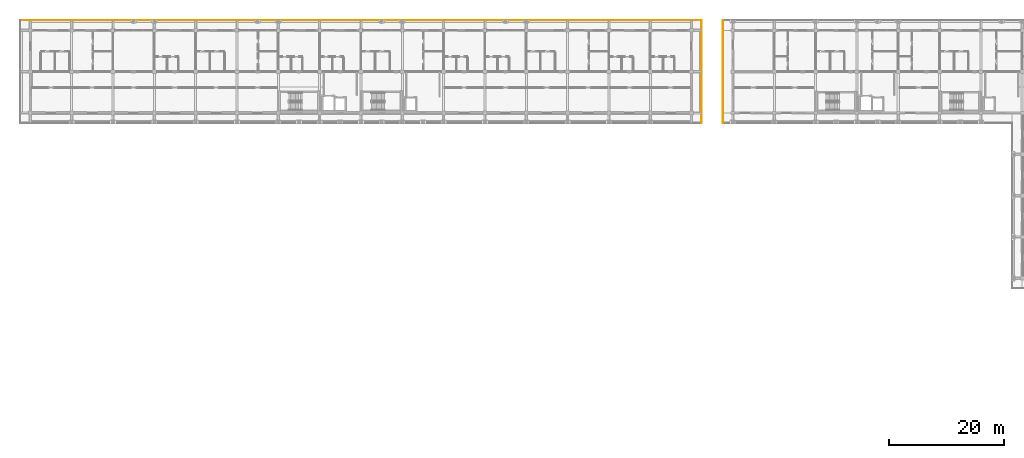
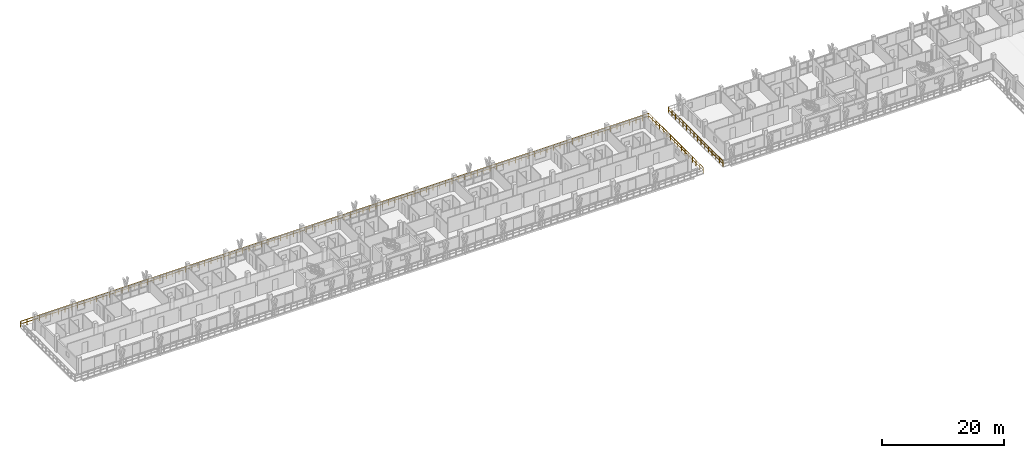
# One storey, part 71 of 78: 3 railings.
"""IFC4 building model written with IfcOpenShell, lengths in metres."""

from ifc_helpers import new_model, si_unit, direction, frame, origin, origin_2d, place, context, subcontext, project, spatial, rectangle, extrude, material, type_object, element, save


model = new_model("IFC4")

# Units and contexts
model_context = context("Model", 3, precision=1e-05, world=origin(), true_north=direction((0.0, 1.0)))
body_context = subcontext(model_context, "Body", "Model", "MODEL_VIEW")
ifc_project = project(units=[si_unit("LENGTHUNIT", "METRE"), si_unit("AREAUNIT", "SQUARE_METRE"), si_unit("VOLUMEUNIT", "CUBIC_METRE"), si_unit("PLANEANGLEUNIT", "RADIAN"), si_unit("MASSUNIT", "GRAM", prefix="KILO")], contexts=[model_context])

# Site, building, storey
site_placement = place(None, origin())
site = spatial("IfcSite", under=ifc_project, at=site_placement, CompositionType="ELEMENT")
building_placement = place(site_placement, origin())
building = spatial("IfcBuilding", under=site, at=building_placement, Name="Suanplinth Sawtooth Commons", CompositionType="ELEMENT")
storey_placement = place(building_placement, frame((0.0, 0.0, 15.39990234375)))
storey = spatial("IfcBuildingStorey", under=building, at=storey_placement, Name="L04", CompositionType="ELEMENT", Elevation=15.39990234375)

# Railings
ifc_material = material(Name="Powder-coated galvanized steel", Category="steel")
railing_type = type_object("IfcRailingType", Name="GR-01", PredefinedType="BALUSTRADE", material=ifc_material)
railing_1_placement = place(storey_placement, frame((-1.739990234375, 124.139892578125, 0.0)))
element("IfcRailing", 1, at=railing_1_placement, inside=storey, type_object=railing_type, Name="L04 Block A Perimeter Balustrade 2", PredefinedType="BALUSTRADE", context=body_context, shape_type="SweptSolid", body=[
    extrude(rectangle(XDim=0.048095703125, YDim=0.048095703125, at=origin_2d()), frame((0.0, 0.0, 1.09619140625), z_axis=(1.0, 0.0, 0.0), x_axis=(0.0, 1.0, 0.0)), (0.0, 0.0, 1.0), 118.679931640625),
    extrude(rectangle(XDim=0.03369140625, YDim=0.03369140625, at=origin_2d()), frame((0.0, 0.0, 0.56005859375), z_axis=(1.0, 0.0, 0.0), x_axis=(0.0, 1.0, 0.0)), (0.0, 0.0, 1.0), 118.679931640625),
    extrude(rectangle(XDim=0.0419921875, YDim=0.0419921875, at=origin_2d()), origin(), (0.0, 0.0, 1.0), 1.072021484375),
    extrude(rectangle(XDim=0.0419921875, YDim=0.0419921875, at=origin_2d()), frame((1.19873046875, 0.0, 0.0)), (0.0, 0.0, 1.0), 1.072021484375),
    extrude(rectangle(XDim=0.0419921875, YDim=0.0419921875, at=origin_2d()), frame((2.3974609375, 0.0, 0.0)), (0.0, 0.0, 1.0), 1.072021484375),
    extrude(rectangle(XDim=0.0419921875, YDim=0.0419921875, at=origin_2d()), frame((3.596435546875, 0.0, 0.0)), (0.0, 0.0, 1.0), 1.072021484375),
    extrude(rectangle(XDim=0.0419921875, YDim=0.0419921875, at=origin_2d()), frame((4.795166015625, 0.0, 0.0)), (0.0, 0.0, 1.0), 1.072021484375),
    extrude(rectangle(XDim=0.0419921875, YDim=0.0419921875, at=origin_2d()), frame((5.993896484375, 0.0, 0.0)), (0.0, 0.0, 1.0), 1.072021484375),
    extrude(rectangle(XDim=0.0419921875, YDim=0.0419921875, at=origin_2d()), frame((7.192626953125, 0.0, 0.0)), (0.0, 0.0, 1.0), 1.072021484375),
    extrude(rectangle(XDim=0.0419921875, YDim=0.0419921875, at=origin_2d()), frame((8.3916015625, 0.0, 0.0)), (0.0, 0.0, 1.0), 1.072021484375),
    extrude(rectangle(XDim=0.0419921875, YDim=0.0419921875, at=origin_2d()), frame((9.59033203125, 0.0, 0.0)), (0.0, 0.0, 1.0), 1.072021484375),
    extrude(rectangle(XDim=0.0419921875, YDim=0.0419921875, at=origin_2d()), frame((10.7890625, 0.0, 0.0)), (0.0, 0.0, 1.0), 1.072021484375),
    extrude(rectangle(XDim=0.0419921875, YDim=0.0419921875, at=origin_2d()), frame((11.98779296875, 0.0, 0.0)), (0.0, 0.0, 1.0), 1.072021484375),
    extrude(rectangle(XDim=0.0419921875, YDim=0.0419921875, at=origin_2d()), frame((13.186767578125, 0.0, 0.0)), (0.0, 0.0, 1.0), 1.072021484375),
    extrude(rectangle(XDim=0.0419921875, YDim=0.0419921875, at=origin_2d()), frame((14.385498046875, 0.0, 0.0)), (0.0, 0.0, 1.0), 1.072021484375),
    extrude(rectangle(XDim=0.0419921875, YDim=0.0419921875, at=origin_2d()), frame((15.584228515625, 0.0, 0.0)), (0.0, 0.0, 1.0), 1.072021484375),
    extrude(rectangle(XDim=0.0419921875, YDim=0.0419921875, at=origin_2d()), frame((16.782958984375, 0.0, 0.0)), (0.0, 0.0, 1.0), 1.072021484375),
    extrude(rectangle(XDim=0.0419921875, YDim=0.0419921875, at=origin_2d()), frame((17.981689453125, 0.0, 0.0)), (0.0, 0.0, 1.0), 1.072021484375),
    extrude(rectangle(XDim=0.0419921875, YDim=0.0419921875, at=origin_2d()), frame((19.1806640625, 0.0, 0.0)), (0.0, 0.0, 1.0), 1.072021484375),
    extrude(rectangle(XDim=0.0419921875, YDim=0.0419921875, at=origin_2d()), frame((20.37939453125, 0.0, 0.0)), (0.0, 0.0, 1.0), 1.072021484375),
    extrude(rectangle(XDim=0.0419921875, YDim=0.0419921875, at=origin_2d()), frame((21.578125, 0.0, 0.0)), (0.0, 0.0, 1.0), 1.072021484375),
    extrude(rectangle(XDim=0.0419921875, YDim=0.0419921875, at=origin_2d()), frame((22.77685546875, 0.0, 0.0)), (0.0, 0.0, 1.0), 1.072021484375),
    extrude(rectangle(XDim=0.0419921875, YDim=0.0419921875, at=origin_2d()), frame((23.975830078125, 0.0, 0.0)), (0.0, 0.0, 1.0), 1.072021484375),
    extrude(rectangle(XDim=0.0419921875, YDim=0.0419921875, at=origin_2d()), frame((25.174560546875, 0.0, 0.0)), (0.0, 0.0, 1.0), 1.072021484375),
    extrude(rectangle(XDim=0.0419921875, YDim=0.0419921875, at=origin_2d()), frame((26.373291015625, 0.0, 0.0)), (0.0, 0.0, 1.0), 1.072021484375),
    extrude(rectangle(XDim=0.0419921875, YDim=0.0419921875, at=origin_2d()), frame((27.572021484375, 0.0, 0.0)), (0.0, 0.0, 1.0), 1.072021484375),
    extrude(rectangle(XDim=0.0419921875, YDim=0.0419921875, at=origin_2d()), frame((28.77099609375, 0.0, 0.0)), (0.0, 0.0, 1.0), 1.072021484375),
    extrude(rectangle(XDim=0.0419921875, YDim=0.0419921875, at=origin_2d()), frame((29.9697265625, 0.0, 0.0)), (0.0, 0.0, 1.0), 1.072021484375),
    extrude(rectangle(XDim=0.0419921875, YDim=0.0419921875, at=origin_2d()), frame((31.16845703125, 0.0, 0.0)), (0.0, 0.0, 1.0), 1.072021484375),
    extrude(rectangle(XDim=0.0419921875, YDim=0.0419921875, at=origin_2d()), frame((32.3671875, 0.0, 0.0)), (0.0, 0.0, 1.0), 1.072021484375),
    extrude(rectangle(XDim=0.0419921875, YDim=0.0419921875, at=origin_2d()), frame((33.566162109375, 0.0, 0.0)), (0.0, 0.0, 1.0), 1.072021484375),
    extrude(rectangle(XDim=0.0419921875, YDim=0.0419921875, at=origin_2d()), frame((34.764892578125, 0.0, 0.0)), (0.0, 0.0, 1.0), 1.072021484375),
    extrude(rectangle(XDim=0.0419921875, YDim=0.0419921875, at=origin_2d()), frame((35.963623046875, 0.0, 0.0)), (0.0, 0.0, 1.0), 1.072021484375),
    extrude(rectangle(XDim=0.0419921875, YDim=0.0419921875, at=origin_2d()), frame((37.162353515625, 0.0, 0.0)), (0.0, 0.0, 1.0), 1.072021484375),
    extrude(rectangle(XDim=0.0419921875, YDim=0.0419921875, at=origin_2d()), frame((38.361083984375, 0.0, 0.0)), (0.0, 0.0, 1.0), 1.072021484375),
    extrude(rectangle(XDim=0.0419921875, YDim=0.0419921875, at=origin_2d()), frame((39.56005859375, 0.0, 0.0)), (0.0, 0.0, 1.0), 1.072021484375),
    extrude(rectangle(XDim=0.0419921875, YDim=0.0419921875, at=origin_2d()), frame((40.7587890625, 0.0, 0.0)), (0.0, 0.0, 1.0), 1.072021484375),
    extrude(rectangle(XDim=0.0419921875, YDim=0.0419921875, at=origin_2d()), frame((41.95751953125, 0.0, 0.0)), (0.0, 0.0, 1.0), 1.072021484375),
    extrude(rectangle(XDim=0.0419921875, YDim=0.0419921875, at=origin_2d()), frame((43.15625, 0.0, 0.0)), (0.0, 0.0, 1.0), 1.072021484375),
    extrude(rectangle(XDim=0.0419921875, YDim=0.0419921875, at=origin_2d()), frame((44.355224609375, 0.0, 0.0)), (0.0, 0.0, 1.0), 1.072021484375),
    extrude(rectangle(XDim=0.0419921875, YDim=0.0419921875, at=origin_2d()), frame((45.553955078125, 0.0, 0.0)), (0.0, 0.0, 1.0), 1.072021484375),
    extrude(rectangle(XDim=0.0419921875, YDim=0.0419921875, at=origin_2d()), frame((46.752685546875, 0.0, 0.0)), (0.0, 0.0, 1.0), 1.072021484375),
    extrude(rectangle(XDim=0.0419921875, YDim=0.0419921875, at=origin_2d()), frame((47.951416015625, 0.0, 0.0)), (0.0, 0.0, 1.0), 1.072021484375),
    extrude(rectangle(XDim=0.0419921875, YDim=0.0419921875, at=origin_2d()), frame((49.150390625, 0.0, 0.0)), (0.0, 0.0, 1.0), 1.072021484375),
    extrude(rectangle(XDim=0.0419921875, YDim=0.0419921875, at=origin_2d()), frame((50.34912109375, 0.0, 0.0)), (0.0, 0.0, 1.0), 1.072021484375),
    extrude(rectangle(XDim=0.0419921875, YDim=0.0419921875, at=origin_2d()), frame((51.5478515625, 0.0, 0.0)), (0.0, 0.0, 1.0), 1.072021484375),
    extrude(rectangle(XDim=0.0419921875, YDim=0.0419921875, at=origin_2d()), frame((52.74658203125, 0.0, 0.0)), (0.0, 0.0, 1.0), 1.072021484375),
    extrude(rectangle(XDim=0.0419921875, YDim=0.0419921875, at=origin_2d()), frame((53.9453125, 0.0, 0.0)), (0.0, 0.0, 1.0), 1.072021484375),
    extrude(rectangle(XDim=0.0419921875, YDim=0.0419921875, at=origin_2d()), frame((55.144287109375, 0.0, 0.0)), (0.0, 0.0, 1.0), 1.072021484375),
    extrude(rectangle(XDim=0.0419921875, YDim=0.0419921875, at=origin_2d()), frame((56.343017578125, 0.0, 0.0)), (0.0, 0.0, 1.0), 1.072021484375),
    extrude(rectangle(XDim=0.0419921875, YDim=0.0419921875, at=origin_2d()), frame((57.541748046875, 0.0, 0.0)), (0.0, 0.0, 1.0), 1.072021484375),
    extrude(rectangle(XDim=0.0419921875, YDim=0.0419921875, at=origin_2d()), frame((58.740478515625, 0.0, 0.0)), (0.0, 0.0, 1.0), 1.072021484375),
    extrude(rectangle(XDim=0.0419921875, YDim=0.0419921875, at=origin_2d()), frame((59.939453125, 0.0, 0.0)), (0.0, 0.0, 1.0), 1.072021484375),
    extrude(rectangle(XDim=0.0419921875, YDim=0.0419921875, at=origin_2d()), frame((61.13818359375, 0.0, 0.0)), (0.0, 0.0, 1.0), 1.072021484375),
    extrude(rectangle(XDim=0.0419921875, YDim=0.0419921875, at=origin_2d()), frame((62.3369140625, 0.0, 0.0)), (0.0, 0.0, 1.0), 1.072021484375),
    extrude(rectangle(XDim=0.0419921875, YDim=0.0419921875, at=origin_2d()), frame((63.53564453125, 0.0, 0.0)), (0.0, 0.0, 1.0), 1.072021484375),
    extrude(rectangle(XDim=0.0419921875, YDim=0.0419921875, at=origin_2d()), frame((64.734619140625, 0.0, 0.0)), (0.0, 0.0, 1.0), 1.072021484375),
    extrude(rectangle(XDim=0.0419921875, YDim=0.0419921875, at=origin_2d()), frame((65.933349609375, 0.0, 0.0)), (0.0, 0.0, 1.0), 1.072021484375),
    extrude(rectangle(XDim=0.0419921875, YDim=0.0419921875, at=origin_2d()), frame((67.132080078125, 0.0, 0.0)), (0.0, 0.0, 1.0), 1.072021484375),
    extrude(rectangle(XDim=0.0419921875, YDim=0.0419921875, at=origin_2d()), frame((68.330810546875, 0.0, 0.0)), (0.0, 0.0, 1.0), 1.072021484375),
    extrude(rectangle(XDim=0.0419921875, YDim=0.0419921875, at=origin_2d()), frame((69.529541015625, 0.0, 0.0)), (0.0, 0.0, 1.0), 1.072021484375),
    extrude(rectangle(XDim=0.0419921875, YDim=0.0419921875, at=origin_2d()), frame((70.728515625, 0.0, 0.0)), (0.0, 0.0, 1.0), 1.072021484375),
    extrude(rectangle(XDim=0.0419921875, YDim=0.0419921875, at=origin_2d()), frame((71.92724609375, 0.0, 0.0)), (0.0, 0.0, 1.0), 1.072021484375),
    extrude(rectangle(XDim=0.0419921875, YDim=0.0419921875, at=origin_2d()), frame((73.1259765625, 0.0, 0.0)), (0.0, 0.0, 1.0), 1.072021484375),
    extrude(rectangle(XDim=0.0419921875, YDim=0.0419921875, at=origin_2d()), frame((74.32470703125, 0.0, 0.0)), (0.0, 0.0, 1.0), 1.072021484375),
    extrude(rectangle(XDim=0.0419921875, YDim=0.0419921875, at=origin_2d()), frame((75.523681640625, 0.0, 0.0)), (0.0, 0.0, 1.0), 1.072021484375),
    extrude(rectangle(XDim=0.0419921875, YDim=0.0419921875, at=origin_2d()), frame((76.722412109375, 0.0, 0.0)), (0.0, 0.0, 1.0), 1.072021484375),
    extrude(rectangle(XDim=0.0419921875, YDim=0.0419921875, at=origin_2d()), frame((77.921142578125, 0.0, 0.0)), (0.0, 0.0, 1.0), 1.072021484375),
    extrude(rectangle(XDim=0.0419921875, YDim=0.0419921875, at=origin_2d()), frame((79.119873046875, 0.0, 0.0)), (0.0, 0.0, 1.0), 1.072021484375),
    extrude(rectangle(XDim=0.0419921875, YDim=0.0419921875, at=origin_2d()), frame((80.31884765625, 0.0, 0.0)), (0.0, 0.0, 1.0), 1.072021484375),
    extrude(rectangle(XDim=0.0419921875, YDim=0.0419921875, at=origin_2d()), frame((81.517578125, 0.0, 0.0)), (0.0, 0.0, 1.0), 1.072021484375),
    extrude(rectangle(XDim=0.0419921875, YDim=0.0419921875, at=origin_2d()), frame((82.71630859375, 0.0, 0.0)), (0.0, 0.0, 1.0), 1.072021484375),
    extrude(rectangle(XDim=0.0419921875, YDim=0.0419921875, at=origin_2d()), frame((83.9150390625, 0.0, 0.0)), (0.0, 0.0, 1.0), 1.072021484375),
    extrude(rectangle(XDim=0.0419921875, YDim=0.0419921875, at=origin_2d()), frame((85.11376953125, 0.0, 0.0)), (0.0, 0.0, 1.0), 1.072021484375),
    extrude(rectangle(XDim=0.0419921875, YDim=0.0419921875, at=origin_2d()), frame((86.312744140625, 0.0, 0.0)), (0.0, 0.0, 1.0), 1.072021484375),
    extrude(rectangle(XDim=0.0419921875, YDim=0.0419921875, at=origin_2d()), frame((87.511474609375, 0.0, 0.0)), (0.0, 0.0, 1.0), 1.072021484375),
    extrude(rectangle(XDim=0.0419921875, YDim=0.0419921875, at=origin_2d()), frame((88.710205078125, 0.0, 0.0)), (0.0, 0.0, 1.0), 1.072021484375),
    extrude(rectangle(XDim=0.0419921875, YDim=0.0419921875, at=origin_2d()), frame((89.908935546875, 0.0, 0.0)), (0.0, 0.0, 1.0), 1.072021484375),
    extrude(rectangle(XDim=0.0419921875, YDim=0.0419921875, at=origin_2d()), frame((91.10791015625, 0.0, 0.0)), (0.0, 0.0, 1.0), 1.072021484375),
    extrude(rectangle(XDim=0.0419921875, YDim=0.0419921875, at=origin_2d()), frame((92.306640625, 0.0, 0.0)), (0.0, 0.0, 1.0), 1.072021484375),
    extrude(rectangle(XDim=0.0419921875, YDim=0.0419921875, at=origin_2d()), frame((93.50537109375, 0.0, 0.0)), (0.0, 0.0, 1.0), 1.072021484375),
    extrude(rectangle(XDim=0.0419921875, YDim=0.0419921875, at=origin_2d()), frame((94.7041015625, 0.0, 0.0)), (0.0, 0.0, 1.0), 1.072021484375),
    extrude(rectangle(XDim=0.0419921875, YDim=0.0419921875, at=origin_2d()), frame((95.903076171875, 0.0, 0.0)), (0.0, 0.0, 1.0), 1.072021484375),
    extrude(rectangle(XDim=0.0419921875, YDim=0.0419921875, at=origin_2d()), frame((97.101806640625, 0.0, 0.0)), (0.0, 0.0, 1.0), 1.072021484375),
    extrude(rectangle(XDim=0.0419921875, YDim=0.0419921875, at=origin_2d()), frame((98.300537109375, 0.0, 0.0)), (0.0, 0.0, 1.0), 1.072021484375),
    extrude(rectangle(XDim=0.0419921875, YDim=0.0419921875, at=origin_2d()), frame((99.499267578125, 0.0, 0.0)), (0.0, 0.0, 1.0), 1.072021484375),
    extrude(rectangle(XDim=0.0419921875, YDim=0.0419921875, at=origin_2d()), frame((100.6982421875, 0.0, 0.0)), (0.0, 0.0, 1.0), 1.072021484375),
    extrude(rectangle(XDim=0.0419921875, YDim=0.0419921875, at=origin_2d()), frame((101.89697265625, 0.0, 0.0)), (0.0, 0.0, 1.0), 1.072021484375),
    extrude(rectangle(XDim=0.0419921875, YDim=0.0419921875, at=origin_2d()), frame((103.095703125, 0.0, 0.0)), (0.0, 0.0, 1.0), 1.072021484375),
    extrude(rectangle(XDim=0.0419921875, YDim=0.0419921875, at=origin_2d()), frame((104.29443359375, 0.0, 0.0)), (0.0, 0.0, 1.0), 1.072021484375),
    extrude(rectangle(XDim=0.0419921875, YDim=0.0419921875, at=origin_2d()), frame((105.4931640625, 0.0, 0.0)), (0.0, 0.0, 1.0), 1.072021484375),
    extrude(rectangle(XDim=0.0419921875, YDim=0.0419921875, at=origin_2d()), frame((106.692138671875, 0.0, 0.0)), (0.0, 0.0, 1.0), 1.072021484375),
    extrude(rectangle(XDim=0.0419921875, YDim=0.0419921875, at=origin_2d()), frame((107.890869140625, 0.0, 0.0)), (0.0, 0.0, 1.0), 1.072021484375),
    extrude(rectangle(XDim=0.0419921875, YDim=0.0419921875, at=origin_2d()), frame((109.089599609375, 0.0, 0.0)), (0.0, 0.0, 1.0), 1.072021484375),
    extrude(rectangle(XDim=0.0419921875, YDim=0.0419921875, at=origin_2d()), frame((110.288330078125, 0.0, 0.0)), (0.0, 0.0, 1.0), 1.072021484375),
    extrude(rectangle(XDim=0.0419921875, YDim=0.0419921875, at=origin_2d()), frame((111.4873046875, 0.0, 0.0)), (0.0, 0.0, 1.0), 1.072021484375),
    extrude(rectangle(XDim=0.0419921875, YDim=0.0419921875, at=origin_2d()), frame((112.68603515625, 0.0, 0.0)), (0.0, 0.0, 1.0), 1.072021484375),
    extrude(rectangle(XDim=0.0419921875, YDim=0.0419921875, at=origin_2d()), frame((113.884765625, 0.0, 0.0)), (0.0, 0.0, 1.0), 1.072021484375),
    extrude(rectangle(XDim=0.0419921875, YDim=0.0419921875, at=origin_2d()), frame((115.08349609375, 0.0, 0.0)), (0.0, 0.0, 1.0), 1.072021484375),
    extrude(rectangle(XDim=0.0419921875, YDim=0.0419921875, at=origin_2d()), frame((116.282470703125, 0.0, 0.0)), (0.0, 0.0, 1.0), 1.072021484375),
    extrude(rectangle(XDim=0.0419921875, YDim=0.0419921875, at=origin_2d()), frame((117.481201171875, 0.0, 0.0)), (0.0, 0.0, 1.0), 1.072021484375),
    extrude(rectangle(XDim=0.0419921875, YDim=0.0419921875, at=origin_2d()), frame((118.679931640625, 0.0, 0.0)), (0.0, 0.0, 1.0), 1.072021484375),
])
railing_2_placement = place(storey_placement, frame((116.93994140625, 124.139892578125, 0.0)))
element("IfcRailing", 2, at=railing_2_placement, inside=storey, type_object=railing_type, Name="L04 Block A Perimeter Balustrade 3", PredefinedType="BALUSTRADE", context=body_context, shape_type="SweptSolid", body=[
    extrude(rectangle(XDim=0.048095703125, YDim=0.048095703125, at=origin_2d()), frame((0.0, 0.0, 1.09619140625), z_axis=(0.0, -1.0, 0.0), x_axis=(1.0, 0.0, 0.0)), (0.0, 0.0, 1.0), 17.8798828125),
    extrude(rectangle(XDim=0.03369140625, YDim=0.03369140625, at=origin_2d()), frame((0.0, 0.0, 0.56005859375), z_axis=(0.0, -1.0, 0.0), x_axis=(1.0, 0.0, 0.0)), (0.0, 0.0, 1.0), 17.8798828125),
    extrude(rectangle(XDim=0.0419921875, YDim=0.0419921875, at=origin_2d()), origin(), (0.0, 0.0, 1.0), 1.072021484375),
    extrude(rectangle(XDim=0.0419921875, YDim=0.0419921875, at=origin_2d()), frame((0.0, -1.19189453125, 0.0)), (0.0, 0.0, 1.0), 1.072021484375),
    extrude(rectangle(XDim=0.0419921875, YDim=0.0419921875, at=origin_2d()), frame((0.0, -2.384033203125, 0.0)), (0.0, 0.0, 1.0), 1.072021484375),
    extrude(rectangle(XDim=0.0419921875, YDim=0.0419921875, at=origin_2d()), frame((0.0, -3.575927734375, 0.0)), (0.0, 0.0, 1.0), 1.072021484375),
    extrude(rectangle(XDim=0.0419921875, YDim=0.0419921875, at=origin_2d()), frame((0.0, -4.76806640625, 0.0)), (0.0, 0.0, 1.0), 1.072021484375),
    extrude(rectangle(XDim=0.0419921875, YDim=0.0419921875, at=origin_2d()), frame((0.0, -5.9599609375, 0.0)), (0.0, 0.0, 1.0), 1.072021484375),
    extrude(rectangle(XDim=0.0419921875, YDim=0.0419921875, at=origin_2d()), frame((0.0, -7.15185546875, 0.0)), (0.0, 0.0, 1.0), 1.072021484375),
    extrude(rectangle(XDim=0.0419921875, YDim=0.0419921875, at=origin_2d()), frame((0.0, -8.343994140625, 0.0)), (0.0, 0.0, 1.0), 1.072021484375),
    extrude(rectangle(XDim=0.0419921875, YDim=0.0419921875, at=origin_2d()), frame((0.0, -9.535888671875, 0.0)), (0.0, 0.0, 1.0), 1.072021484375),
    extrude(rectangle(XDim=0.0419921875, YDim=0.0419921875, at=origin_2d()), frame((0.0, -10.72802734375, 0.0)), (0.0, 0.0, 1.0), 1.072021484375),
    extrude(rectangle(XDim=0.0419921875, YDim=0.0419921875, at=origin_2d()), frame((0.0, -11.919921875, 0.0)), (0.0, 0.0, 1.0), 1.072021484375),
    extrude(rectangle(XDim=0.0419921875, YDim=0.0419921875, at=origin_2d()), frame((0.0, -13.11181640625, 0.0)), (0.0, 0.0, 1.0), 1.072021484375),
    extrude(rectangle(XDim=0.0419921875, YDim=0.0419921875, at=origin_2d()), frame((0.0, -14.303955078125, 0.0)), (0.0, 0.0, 1.0), 1.072021484375),
    extrude(rectangle(XDim=0.0419921875, YDim=0.0419921875, at=origin_2d()), frame((0.0, -15.495849609375, 0.0)), (0.0, 0.0, 1.0), 1.072021484375),
    extrude(rectangle(XDim=0.0419921875, YDim=0.0419921875, at=origin_2d()), frame((0.0, -16.68798828125, 0.0)), (0.0, 0.0, 1.0), 1.072021484375),
    extrude(rectangle(XDim=0.0419921875, YDim=0.0419921875, at=origin_2d()), frame((0.0, -17.8798828125, 0.0)), (0.0, 0.0, 1.0), 1.072021484375),
])
railing_3_placement = place(storey_placement, frame((120.659912109375, 106.260009765625, 0.0)))
element("IfcRailing", 3, at=railing_3_placement, inside=storey, type_object=railing_type, Name="L04 Block B Perimeter Balustrade 3", PredefinedType="BALUSTRADE", context=body_context, shape_type="SweptSolid", body=[
    extrude(rectangle(XDim=0.048095703125, YDim=0.048095703125, at=origin_2d()), frame((0.0, 0.0, 1.09619140625), z_axis=(0.0, 1.0, 0.0), x_axis=(-1.0, 0.0, 0.0)), (0.0, 0.0, 1.0), 17.8798828125),
    extrude(rectangle(XDim=0.03369140625, YDim=0.03369140625, at=origin_2d()), frame((0.0, 0.0, 0.56005859375), z_axis=(0.0, 1.0, 0.0), x_axis=(-1.0, 0.0, 0.0)), (0.0, 0.0, 1.0), 17.8798828125),
    extrude(rectangle(XDim=0.0419921875, YDim=0.0419921875, at=origin_2d()), origin(), (0.0, 0.0, 1.0), 1.072021484375),
    extrude(rectangle(XDim=0.0419921875, YDim=0.0419921875, at=origin_2d()), frame((0.0, 1.19189453125, 0.0)), (0.0, 0.0, 1.0), 1.072021484375),
    extrude(rectangle(XDim=0.0419921875, YDim=0.0419921875, at=origin_2d()), frame((0.0, 2.384033203125, 0.0)), (0.0, 0.0, 1.0), 1.072021484375),
    extrude(rectangle(XDim=0.0419921875, YDim=0.0419921875, at=origin_2d()), frame((0.0, 3.575927734375, 0.0)), (0.0, 0.0, 1.0), 1.072021484375),
    extrude(rectangle(XDim=0.0419921875, YDim=0.0419921875, at=origin_2d()), frame((0.0, 4.76806640625, 0.0)), (0.0, 0.0, 1.0), 1.072021484375),
    extrude(rectangle(XDim=0.0419921875, YDim=0.0419921875, at=origin_2d()), frame((0.0, 5.9599609375, 0.0)), (0.0, 0.0, 1.0), 1.072021484375),
    extrude(rectangle(XDim=0.0419921875, YDim=0.0419921875, at=origin_2d()), frame((0.0, 7.15185546875, 0.0)), (0.0, 0.0, 1.0), 1.072021484375),
    extrude(rectangle(XDim=0.0419921875, YDim=0.0419921875, at=origin_2d()), frame((0.0, 8.343994140625, 0.0)), (0.0, 0.0, 1.0), 1.072021484375),
    extrude(rectangle(XDim=0.0419921875, YDim=0.0419921875, at=origin_2d()), frame((0.0, 9.535888671875, 0.0)), (0.0, 0.0, 1.0), 1.072021484375),
    extrude(rectangle(XDim=0.0419921875, YDim=0.0419921875, at=origin_2d()), frame((0.0, 10.72802734375, 0.0)), (0.0, 0.0, 1.0), 1.072021484375),
    extrude(rectangle(XDim=0.0419921875, YDim=0.0419921875, at=origin_2d()), frame((0.0, 11.919921875, 0.0)), (0.0, 0.0, 1.0), 1.072021484375),
    extrude(rectangle(XDim=0.0419921875, YDim=0.0419921875, at=origin_2d()), frame((0.0, 13.11181640625, 0.0)), (0.0, 0.0, 1.0), 1.072021484375),
    extrude(rectangle(XDim=0.0419921875, YDim=0.0419921875, at=origin_2d()), frame((0.0, 14.303955078125, 0.0)), (0.0, 0.0, 1.0), 1.072021484375),
    extrude(rectangle(XDim=0.0419921875, YDim=0.0419921875, at=origin_2d()), frame((0.0, 15.495849609375, 0.0)), (0.0, 0.0, 1.0), 1.072021484375),
    extrude(rectangle(XDim=0.0419921875, YDim=0.0419921875, at=origin_2d()), frame((0.0, 16.68798828125, 0.0)), (0.0, 0.0, 1.0), 1.072021484375),
    extrude(rectangle(XDim=0.0419921875, YDim=0.0419921875, at=origin_2d()), frame((0.0, 17.8798828125, 0.0)), (0.0, 0.0, 1.0), 1.072021484375),
])

save(model, "model.ifc")
